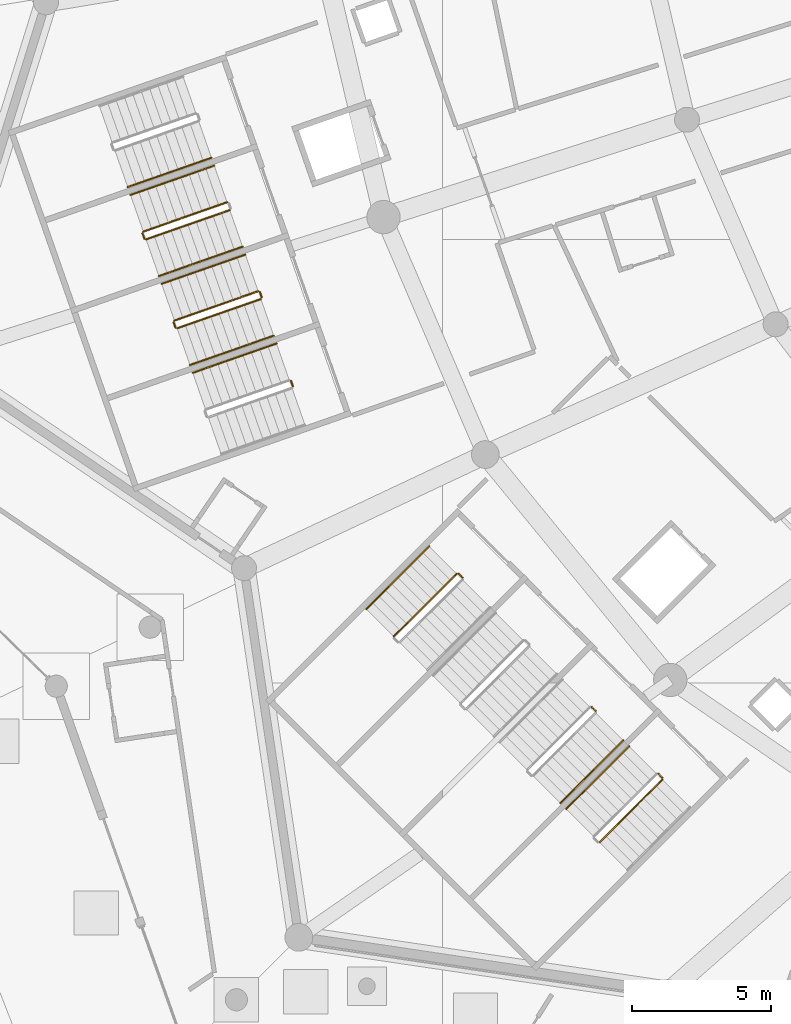
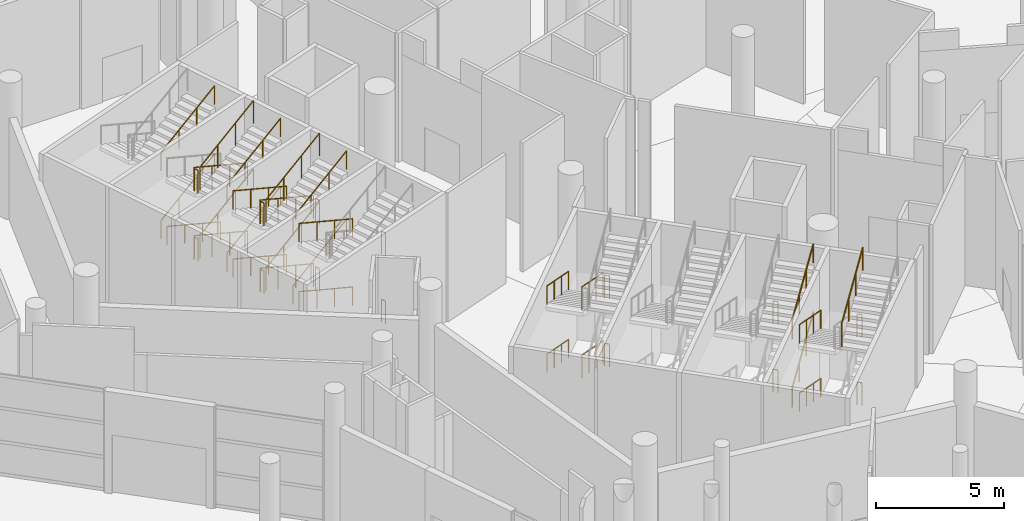
# One storey, part 187 of 255: 42 railings.
"""IFC4 building model written with IfcOpenShell, lengths in metres."""

from ifc_helpers import new_model, si_unit, direction, frame, origin, origin_2d, place, context, subcontext, project, spatial, circle, extrude, material, type_object, element, save


model = new_model("IFC4")

# Units and contexts
model_context = context("Model", 3, precision=1e-05, world=origin(), true_north=direction((0.0, 1.0)))
body_context = subcontext(model_context, "Body", "Model", "MODEL_VIEW")
ifc_project = project(units=[si_unit("LENGTHUNIT", "METRE"), si_unit("AREAUNIT", "SQUARE_METRE"), si_unit("VOLUMEUNIT", "CUBIC_METRE"), si_unit("PLANEANGLEUNIT", "RADIAN"), si_unit("MASSUNIT", "GRAM", prefix="KILO")], contexts=[model_context])

# Site, building, storey
site_placement = place(None, origin())
site = spatial("IfcSite", under=ifc_project, at=site_placement, CompositionType="ELEMENT")
building_placement = place(site_placement, origin())
building = spatial("IfcBuilding", under=site, at=building_placement, Name="Meseta Stadium", CompositionType="ELEMENT")
storey_placement = place(building_placement, origin())
storey = spatial("IfcBuildingStorey", under=building, at=storey_placement, Name="L00", CompositionType="ELEMENT", Elevation=0.0)

# Railings
ifc_material_1 = material(Name="Steel S355", Category="steel")
railing_type_1 = type_object("IfcRailingType", Name="Stair guard 1100", PredefinedType="GUARDRAIL", material=ifc_material_1)
railing_1_placement = place(storey_placement, frame((-87.764404296875, -62.654052734375, 0.147705078125)))
element("IfcRailing", 1, at=railing_1_placement, inside=storey, type_object=railing_type_1, Name="ST78 L00 guard 1", PredefinedType="GUARDRAIL", context=body_context, shape_type="SweptSolid", body=[
    extrude(circle(Radius=0.02392578125, at=origin_2d()), frame((0.0, 0.0, 1.076171875), z_axis=(-0.856958151566, -0.299876472244, 0.419162054412), x_axis=(0.330292648585, -0.943878576031, 0.0)), (0.0, 0.0, 1.0), 3.5244140625),
    extrude(circle(Radius=0.02099609375, at=origin_2d()), origin(), (0.0, 0.0, 1.0), 1.052001953125),
    extrude(circle(Radius=0.02099609375, at=origin_2d()), frame((-1.0068359375, -0.352294921875, 0.492431640625)), (0.0, 0.0, 1.0), 1.052001953125),
    extrude(circle(Radius=0.02099609375, at=origin_2d()), frame((-2.013427734375, -0.70458984375, 0.98486328125)), (0.0, 0.0, 1.0), 1.052001953125),
    extrude(circle(Radius=0.02099609375, at=origin_2d()), frame((-3.020263671875, -1.056884765625, 1.477294921875)), (0.0, 0.0, 1.0), 1.052001953125),
])
railing_2_placement = place(storey_placement, frame((-90.8154296875, -63.774658203125, 1.625)))
element("IfcRailing", 2, at=railing_2_placement, inside=storey, type_object=railing_type_1, Name="ST78 L00 guard 2", PredefinedType="GUARDRAIL", context=body_context, shape_type="SweptSolid", body=[
    extrude(circle(Radius=0.02392578125, at=origin_2d()), frame((0.0, 0.0, 1.076171875), z_axis=(0.330839792317, -0.943686935281, 0.0), x_axis=(0.943686935281, 0.330839792317, 0.0)), (0.0, 0.0, 1.0), 0.199951171875),
    extrude(circle(Radius=0.02099609375, at=origin_2d()), origin(), (0.0, 0.0, 1.0), 1.052001953125),
    extrude(circle(Radius=0.02099609375, at=origin_2d()), frame((0.066162109375, -0.188720703125, 0.0)), (0.0, 0.0, 1.0), 1.052001953125),
])
railing_3_placement = place(storey_placement, frame((-90.685791015625, -63.994140625, 1.772705078125)))
element("IfcRailing", 3, at=railing_3_placement, inside=storey, type_object=railing_type_1, Name="ST78 L00 guard 3", PredefinedType="GUARDRAIL", context=body_context, shape_type="SweptSolid", body=[
    extrude(circle(Radius=0.02392578125, at=origin_2d()), frame((0.0, 0.0, 1.076171875), z_axis=(0.856976550022, 0.299858671601, 0.419137172986), x_axis=(-0.330268863922, 0.943886898693, 0.0)), (0.0, 0.0, 1.0), 3.524658203125),
    extrude(circle(Radius=0.02099609375, at=origin_2d()), origin(), (0.0, 0.0, 1.0), 1.052001953125),
    extrude(circle(Radius=0.02099609375, at=origin_2d()), frame((1.0068359375, 0.352294921875, 0.492431640625)), (0.0, 0.0, 1.0), 1.052001953125),
    extrude(circle(Radius=0.02099609375, at=origin_2d()), frame((2.013671875, 0.70458984375, 0.98486328125)), (0.0, 0.0, 1.0), 1.052001953125),
    extrude(circle(Radius=0.02099609375, at=origin_2d()), frame((3.0205078125, 1.056884765625, 1.477294921875)), (0.0, 0.0, 1.0), 1.052001953125),
])
railing_4_placement = place(storey_placement, frame((-87.764404296875, -62.654052734375, 3.397705078125)))
element("IfcRailing", 4, at=railing_4_placement, inside=storey, type_object=railing_type_1, Name="ST78 L00 guard 5", PredefinedType="GUARDRAIL", context=body_context, shape_type="SweptSolid", body=[
    extrude(circle(Radius=0.02392578125, at=origin_2d()), frame((0.0, 0.0, 1.076171875), z_axis=(-0.856958151566, -0.299876472244, 0.419162054412), x_axis=(0.330292648585, -0.943878576031, 0.0)), (0.0, 0.0, 1.0), 3.5244140625),
    extrude(circle(Radius=0.02099609375, at=origin_2d()), origin(), (0.0, 0.0, 1.0), 1.052001953125),
    extrude(circle(Radius=0.02099609375, at=origin_2d()), frame((-1.0068359375, -0.352294921875, 0.492431640625)), (0.0, 0.0, 1.0), 1.052001953125),
    extrude(circle(Radius=0.02099609375, at=origin_2d()), frame((-2.013427734375, -0.70458984375, 0.98486328125)), (0.0, 0.0, 1.0), 1.052001953125),
    extrude(circle(Radius=0.02099609375, at=origin_2d()), frame((-3.020263671875, -1.056884765625, 1.477294921875)), (0.0, 0.0, 1.0), 1.052001953125),
])
railing_5_placement = place(storey_placement, frame((-90.8154296875, -63.774658203125, 4.875)))
element("IfcRailing", 5, at=railing_5_placement, inside=storey, type_object=railing_type_1, Name="ST78 L00 guard 6", PredefinedType="GUARDRAIL", context=body_context, shape_type="SweptSolid", body=[
    extrude(circle(Radius=0.02392578125, at=origin_2d()), frame((0.0, 0.0, 1.076171875), z_axis=(0.330839792317, -0.943686935281, 0.0), x_axis=(0.943686935281, 0.330839792317, 0.0)), (0.0, 0.0, 1.0), 0.199951171875),
    extrude(circle(Radius=0.02099609375, at=origin_2d()), origin(), (0.0, 0.0, 1.0), 1.052001953125),
    extrude(circle(Radius=0.02099609375, at=origin_2d()), frame((0.066162109375, -0.188720703125, 0.0)), (0.0, 0.0, 1.0), 1.052001953125),
])
railing_6_placement = place(storey_placement, frame((-90.685791015625, -63.994140625, 5.022705078125)))
element("IfcRailing", 6, at=railing_6_placement, inside=storey, type_object=railing_type_1, Name="ST78 L00 guard 7", PredefinedType="GUARDRAIL", context=body_context, shape_type="SweptSolid", body=[
    extrude(circle(Radius=0.02392578125, at=origin_2d()), frame((0.0, 0.0, 1.076171875), z_axis=(0.856976550022, 0.299858671601, 0.419137172986), x_axis=(-0.330268863922, 0.943886898693, 0.0)), (0.0, 0.0, 1.0), 3.524658203125),
    extrude(circle(Radius=0.02099609375, at=origin_2d()), origin(), (0.0, 0.0, 1.0), 1.052001953125),
    extrude(circle(Radius=0.02099609375, at=origin_2d()), frame((1.0068359375, 0.352294921875, 0.492431640625)), (0.0, 0.0, 1.0), 1.052001953125),
    extrude(circle(Radius=0.02099609375, at=origin_2d()), frame((2.013671875, 0.70458984375, 0.98486328125)), (0.0, 0.0, 1.0), 1.052001953125),
    extrude(circle(Radius=0.02099609375, at=origin_2d()), frame((3.0205078125, 1.056884765625, 1.477294921875)), (0.0, 0.0, 1.0), 1.052001953125),
])
railing_7_placement = place(storey_placement, frame((-86.641357421875, -65.86328125, 0.147705078125)))
element("IfcRailing", 7, at=railing_7_placement, inside=storey, type_object=railing_type_1, Name="ST79 L00 guard 1", PredefinedType="GUARDRAIL", context=body_context, shape_type="SweptSolid", body=[
    extrude(circle(Radius=0.02392578125, at=origin_2d()), frame((0.0, 0.0, 1.076171875), z_axis=(-0.856976550022, -0.299858671601, 0.419137172986), x_axis=(0.330268863922, -0.943886898693, 0.0)), (0.0, 0.0, 1.0), 3.524658203125),
    extrude(circle(Radius=0.02099609375, at=origin_2d()), origin(), (0.0, 0.0, 1.0), 1.052001953125),
    extrude(circle(Radius=0.02099609375, at=origin_2d()), frame((-1.0068359375, -0.352294921875, 0.492431640625)), (0.0, 0.0, 1.0), 1.052001953125),
    extrude(circle(Radius=0.02099609375, at=origin_2d()), frame((-2.013671875, -0.70458984375, 0.98486328125)), (0.0, 0.0, 1.0), 1.052001953125),
    extrude(circle(Radius=0.02099609375, at=origin_2d()), frame((-3.0205078125, -1.056884765625, 1.477294921875)), (0.0, 0.0, 1.0), 1.052001953125),
])
railing_8_placement = place(storey_placement, frame((-89.6923828125, -66.98388671875, 1.625)))
element("IfcRailing", 8, at=railing_8_placement, inside=storey, type_object=railing_type_1, Name="ST79 L00 guard 2", PredefinedType="GUARDRAIL", context=body_context, shape_type="SweptSolid", body=[
    extrude(circle(Radius=0.02392578125, at=origin_2d()), frame((0.0, 0.0, 1.076171875), z_axis=(0.329751946816, -0.944067610699, 0.0), x_axis=(0.944067610699, 0.329751946816, 0.0)), (0.0, 0.0, 1.0), 0.199951171875),
    extrude(circle(Radius=0.02099609375, at=origin_2d()), origin(), (0.0, 0.0, 1.0), 1.052001953125),
    extrude(circle(Radius=0.02099609375, at=origin_2d()), frame((0.06591796875, -0.188720703125, 0.0)), (0.0, 0.0, 1.0), 1.052001953125),
])
railing_9_placement = place(storey_placement, frame((-89.562744140625, -67.203125, 1.772705078125)))
element("IfcRailing", 9, at=railing_9_placement, inside=storey, type_object=railing_type_1, Name="ST79 L00 guard 3", PredefinedType="GUARDRAIL", context=body_context, shape_type="SweptSolid", body=[
    extrude(circle(Radius=0.02392578125, at=origin_2d()), frame((0.0, 0.0, 1.076171875), z_axis=(0.856976550022, 0.299858671601, 0.419137172986), x_axis=(-0.330268863922, 0.943886898693, 0.0)), (0.0, 0.0, 1.0), 3.524658203125),
    extrude(circle(Radius=0.02099609375, at=origin_2d()), origin(), (0.0, 0.0, 1.0), 1.052001953125),
    extrude(circle(Radius=0.02099609375, at=origin_2d()), frame((1.0068359375, 0.352294921875, 0.492431640625)), (0.0, 0.0, 1.0), 1.052001953125),
    extrude(circle(Radius=0.02099609375, at=origin_2d()), frame((2.013671875, 0.70458984375, 0.98486328125)), (0.0, 0.0, 1.0), 1.052001953125),
    extrude(circle(Radius=0.02099609375, at=origin_2d()), frame((3.0205078125, 1.056884765625, 1.477294921875)), (0.0, 0.0, 1.0), 1.052001953125),
])
railing_10_placement = place(storey_placement, frame((-86.57763671875, -65.893798828125, 3.25)))
element("IfcRailing", 10, at=railing_10_placement, inside=storey, type_object=railing_type_1, Name="ST79 L00 guard 4", PredefinedType="GUARDRAIL", context=body_context, shape_type="SweptSolid", body=[
    extrude(circle(Radius=0.02392578125, at=origin_2d()), frame((0.0, 0.0, 1.076171875), z_axis=(0.329372156318, -0.944200181446, 0.0), x_axis=(0.944200181446, 0.329372156318, 0.0)), (0.0, 0.0, 1.0), 0.2001953125),
    extrude(circle(Radius=0.02099609375, at=origin_2d()), origin(), (0.0, 0.0, 1.0), 1.052001953125),
    extrude(circle(Radius=0.02099609375, at=origin_2d()), frame((0.06591796875, -0.18896484375, 0.0)), (0.0, 0.0, 1.0), 1.052001953125),
])
railing_11_placement = place(storey_placement, frame((-86.641357421875, -65.86328125, 3.397705078125)))
element("IfcRailing", 11, at=railing_11_placement, inside=storey, type_object=railing_type_1, Name="ST79 L00 guard 5", PredefinedType="GUARDRAIL", context=body_context, shape_type="SweptSolid", body=[
    extrude(circle(Radius=0.02392578125, at=origin_2d()), frame((0.0, 0.0, 1.076171875), z_axis=(-0.856976550022, -0.299858671601, 0.419137172986), x_axis=(0.330268863922, -0.943886898693, 0.0)), (0.0, 0.0, 1.0), 3.524658203125),
    extrude(circle(Radius=0.02099609375, at=origin_2d()), origin(), (0.0, 0.0, 1.0), 1.052001953125),
    extrude(circle(Radius=0.02099609375, at=origin_2d()), frame((-1.0068359375, -0.352294921875, 0.492431640625)), (0.0, 0.0, 1.0), 1.052001953125),
    extrude(circle(Radius=0.02099609375, at=origin_2d()), frame((-2.013671875, -0.70458984375, 0.98486328125)), (0.0, 0.0, 1.0), 1.052001953125),
    extrude(circle(Radius=0.02099609375, at=origin_2d()), frame((-3.0205078125, -1.056884765625, 1.477294921875)), (0.0, 0.0, 1.0), 1.052001953125),
])
railing_12_placement = place(storey_placement, frame((-89.6923828125, -66.98388671875, 4.875)))
element("IfcRailing", 12, at=railing_12_placement, inside=storey, type_object=railing_type_1, Name="ST79 L00 guard 6", PredefinedType="GUARDRAIL", context=body_context, shape_type="SweptSolid", body=[
    extrude(circle(Radius=0.02392578125, at=origin_2d()), frame((0.0, 0.0, 1.076171875), z_axis=(0.329751946816, -0.944067610699, 0.0), x_axis=(0.944067610699, 0.329751946816, 0.0)), (0.0, 0.0, 1.0), 0.199951171875),
    extrude(circle(Radius=0.02099609375, at=origin_2d()), origin(), (0.0, 0.0, 1.0), 1.052001953125),
    extrude(circle(Radius=0.02099609375, at=origin_2d()), frame((0.06591796875, -0.188720703125, 0.0)), (0.0, 0.0, 1.0), 1.052001953125),
])
railing_13_placement = place(storey_placement, frame((-89.562744140625, -67.203125, 5.022705078125)))
element("IfcRailing", 13, at=railing_13_placement, inside=storey, type_object=railing_type_1, Name="ST79 L00 guard 7", PredefinedType="GUARDRAIL", context=body_context, shape_type="SweptSolid", body=[
    extrude(circle(Radius=0.02392578125, at=origin_2d()), frame((0.0, 0.0, 1.076171875), z_axis=(0.856976550022, 0.299858671601, 0.419137172986), x_axis=(-0.330268863922, 0.943886898693, 0.0)), (0.0, 0.0, 1.0), 3.524658203125),
    extrude(circle(Radius=0.02099609375, at=origin_2d()), origin(), (0.0, 0.0, 1.0), 1.052001953125),
    extrude(circle(Radius=0.02099609375, at=origin_2d()), frame((1.0068359375, 0.352294921875, 0.492431640625)), (0.0, 0.0, 1.0), 1.052001953125),
    extrude(circle(Radius=0.02099609375, at=origin_2d()), frame((2.013671875, 0.70458984375, 0.98486328125)), (0.0, 0.0, 1.0), 1.052001953125),
    extrude(circle(Radius=0.02099609375, at=origin_2d()), frame((3.0205078125, 1.056884765625, 1.477294921875)), (0.0, 0.0, 1.0), 1.052001953125),
])
railing_14_placement = place(storey_placement, frame((-86.57763671875, -65.893798828125, 0.0)))
element("IfcRailing", 14, at=railing_14_placement, inside=storey, type_object=railing_type_1, Name="ST79 L00 guard 8", PredefinedType="GUARDRAIL", context=body_context, shape_type="SweptSolid", body=[
    extrude(circle(Radius=0.02392578125, at=origin_2d()), frame((0.0, 0.0, 1.076171875), z_axis=(0.329372156318, -0.944200181446, 0.0), x_axis=(0.944200181446, 0.329372156318, 0.0)), (0.0, 0.0, 1.0), 0.2001953125),
    extrude(circle(Radius=0.02099609375, at=origin_2d()), origin(), (0.0, 0.0, 1.0), 1.052001953125),
    extrude(circle(Radius=0.02099609375, at=origin_2d()), frame((0.06591796875, -0.18896484375, 0.0)), (0.0, 0.0, 1.0), 1.052001953125),
])
for number, where, name in (
    (15, (-85.454833984375, -69.10302734375, 3.25), "ST80 L00 guard 4"),
    (16, (-85.454833984375, -69.10302734375, 0.0), "ST80 L00 guard 8"),
):
    element("IfcRailing", number, at=place(storey_placement, frame(where)), inside=storey, type_object=railing_type_1, Name=name, PredefinedType="GUARDRAIL", context=body_context, shape_type="SweptSolid", body=[
        extrude(circle(Radius=0.02392578125, at=origin_2d()), frame((0.0, 0.0, 1.076171875), z_axis=(0.330839792317, -0.943686935281, 0.0), x_axis=(0.943686935281, 0.330839792317, 0.0)), (0.0, 0.0, 1.0), 0.199951171875),
        extrude(circle(Radius=0.02099609375, at=origin_2d()), origin(), (0.0, 0.0, 1.0), 1.052001953125),
        extrude(circle(Radius=0.02099609375, at=origin_2d()), frame((0.066162109375, -0.188720703125, 0.0)), (0.0, 0.0, 1.0), 1.052001953125),
    ])
railing_15_placement = place(storey_placement, frame((-79.4814453125, -76.056884765625, 0.147705078125)))
element("IfcRailing", 17, at=railing_15_placement, inside=storey, type_object=railing_type_1, Name="ST81 L00 guard 1", PredefinedType="GUARDRAIL", context=body_context, shape_type="SweptSolid", body=[
    extrude(circle(Radius=0.02392578125, at=origin_2d()), frame((0.0, 0.0, 1.076171875), z_axis=(-0.641993537882, -0.641993537882, 0.419152233246), x_axis=(0.707106781187, -0.707106781187, 0.0)), (0.0, 0.0, 1.0), 3.5244140625),
    extrude(circle(Radius=0.02099609375, at=origin_2d()), origin(), (0.0, 0.0, 1.0), 1.052001953125),
    extrude(circle(Radius=0.02099609375, at=origin_2d()), frame((-0.754150390625, -0.754150390625, 0.492431640625)), (0.0, 0.0, 1.0), 1.052001953125),
    extrude(circle(Radius=0.02099609375, at=origin_2d()), frame((-1.508544921875, -1.508544921875, 0.98486328125)), (0.0, 0.0, 1.0), 1.052001953125),
    extrude(circle(Radius=0.02099609375, at=origin_2d()), frame((-2.2626953125, -2.2626953125, 1.477294921875)), (0.0, 0.0, 1.0), 1.052001953125),
])
railing_16_placement = place(storey_placement, frame((-79.410888671875, -76.056884765625, 3.25)))
element("IfcRailing", 18, at=railing_16_placement, inside=storey, type_object=railing_type_1, Name="ST81 L00 guard 4", PredefinedType="GUARDRAIL", context=body_context, shape_type="SweptSolid", body=[
    extrude(circle(Radius=0.02392578125, at=origin_2d()), frame((0.0, 0.0, 1.076171875), z_axis=(0.707716618519, -0.706496417452, 0.0), x_axis=(0.706496417452, 0.707716618519, 0.0)), (0.0, 0.0, 1.0), 0.2001953125),
    extrude(circle(Radius=0.02099609375, at=origin_2d()), origin(), (0.0, 0.0, 1.0), 1.052001953125),
    extrude(circle(Radius=0.02099609375, at=origin_2d()), frame((0.1416015625, -0.141357421875, 0.0)), (0.0, 0.0, 1.0), 1.052001953125),
])
railing_17_placement = place(storey_placement, frame((-79.4814453125, -76.056884765625, 3.397705078125)))
element("IfcRailing", 19, at=railing_17_placement, inside=storey, type_object=railing_type_1, Name="ST81 L00 guard 5", PredefinedType="GUARDRAIL", context=body_context, shape_type="SweptSolid", body=[
    extrude(circle(Radius=0.02392578125, at=origin_2d()), frame((0.0, 0.0, 1.076171875), z_axis=(-0.641993537882, -0.641993537882, 0.419152233246), x_axis=(0.707106781187, -0.707106781187, 0.0)), (0.0, 0.0, 1.0), 3.5244140625),
    extrude(circle(Radius=0.02099609375, at=origin_2d()), origin(), (0.0, 0.0, 1.0), 1.052001953125),
    extrude(circle(Radius=0.02099609375, at=origin_2d()), frame((-0.754150390625, -0.754150390625, 0.492431640625)), (0.0, 0.0, 1.0), 1.052001953125),
    extrude(circle(Radius=0.02099609375, at=origin_2d()), frame((-1.508544921875, -1.508544921875, 0.98486328125)), (0.0, 0.0, 1.0), 1.052001953125),
    extrude(circle(Radius=0.02099609375, at=origin_2d()), frame((-2.2626953125, -2.2626953125, 1.477294921875)), (0.0, 0.0, 1.0), 1.052001953125),
])
for number, where, name in (
    (20, (-79.410888671875, -76.056884765625, 0.0), "ST81 L00 guard 8"),
    (21, (-74.6025390625, -80.865234375, 3.25), "ST83 L00 guard 4"),
    (22, (-74.6025390625, -80.865234375, 0.0), "ST83 L00 guard 8"),
):
    element("IfcRailing", number, at=place(storey_placement, frame(where)), inside=storey, type_object=railing_type_1, Name=name, PredefinedType="GUARDRAIL", context=body_context, shape_type="SweptSolid", body=[
        extrude(circle(Radius=0.02392578125, at=origin_2d()), frame((0.0, 0.0, 1.076171875), z_axis=(0.707716618519, -0.706496417452, 0.0), x_axis=(0.706496417452, 0.707716618519, 0.0)), (0.0, 0.0, 1.0), 0.2001953125),
        extrude(circle(Radius=0.02099609375, at=origin_2d()), origin(), (0.0, 0.0, 1.0), 1.052001953125),
        extrude(circle(Radius=0.02099609375, at=origin_2d()), frame((0.1416015625, -0.141357421875, 0.0)), (0.0, 0.0, 1.0), 1.052001953125),
    ])
railing_18_placement = place(storey_placement, frame((-72.1982421875, -83.269287109375, 3.25)))
element("IfcRailing", 23, at=railing_18_placement, inside=storey, type_object=railing_type_1, Name="ST84 L00 guard 4", PredefinedType="GUARDRAIL", context=body_context, shape_type="SweptSolid", body=[
    extrude(circle(Radius=0.02392578125, at=origin_2d()), frame((0.0, 0.0, 1.076171875), z_axis=(0.706496417452, -0.707716618519, 0.0), x_axis=(0.707716618519, 0.706496417452, 0.0)), (0.0, 0.0, 1.0), 0.2001953125),
    extrude(circle(Radius=0.02099609375, at=origin_2d()), origin(), (0.0, 0.0, 1.0), 1.052001953125),
    extrude(circle(Radius=0.02099609375, at=origin_2d()), frame((0.141357421875, -0.1416015625, 0.0)), (0.0, 0.0, 1.0), 1.052001953125),
])
railing_19_placement = place(storey_placement, frame((-74.319580078125, -85.744140625, 5.022705078125)))
element("IfcRailing", 24, at=railing_19_placement, inside=storey, type_object=railing_type_1, Name="ST84 L00 guard 7", PredefinedType="GUARDRAIL", context=body_context, shape_type="SweptSolid", body=[
    extrude(circle(Radius=0.02392578125, at=origin_2d()), frame((0.0, 0.0, 1.076171875), z_axis=(0.641993537882, 0.641993537882, 0.419152233246), x_axis=(-0.707106781187, 0.707106781187, 0.0)), (0.0, 0.0, 1.0), 3.5244140625),
    extrude(circle(Radius=0.02099609375, at=origin_2d()), origin(), (0.0, 0.0, 1.0), 1.052001953125),
    extrude(circle(Radius=0.02099609375, at=origin_2d()), frame((0.754150390625, 0.754150390625, 0.492431640625)), (0.0, 0.0, 1.0), 1.052001953125),
    extrude(circle(Radius=0.02099609375, at=origin_2d()), frame((1.508544921875, 1.508544921875, 0.98486328125)), (0.0, 0.0, 1.0), 1.052001953125),
    extrude(circle(Radius=0.02099609375, at=origin_2d()), frame((2.2626953125, 2.2626953125, 1.477294921875)), (0.0, 0.0, 1.0), 1.052001953125),
])
railing_20_placement = place(storey_placement, frame((-72.1982421875, -83.269287109375, 0.0)))
element("IfcRailing", 25, at=railing_20_placement, inside=storey, type_object=railing_type_1, Name="ST84 L00 guard 8", PredefinedType="GUARDRAIL", context=body_context, shape_type="SweptSolid", body=[
    extrude(circle(Radius=0.02392578125, at=origin_2d()), frame((0.0, 0.0, 1.076171875), z_axis=(0.706496417452, -0.707716618519, 0.0), x_axis=(0.707716618519, 0.706496417452, 0.0)), (0.0, 0.0, 1.0), 0.2001953125),
    extrude(circle(Radius=0.02099609375, at=origin_2d()), origin(), (0.0, 0.0, 1.0), 1.052001953125),
    extrude(circle(Radius=0.02099609375, at=origin_2d()), frame((0.141357421875, -0.1416015625, 0.0)), (0.0, 0.0, 1.0), 1.052001953125),
])
ifc_material_2 = material(Name="Steel S355", Category="steel")
railing_type_2 = type_object("IfcRailingType", Name="Stair handrail 900", PredefinedType="HANDRAIL", material=ifc_material_2)
for number, where, name in (
    (26, (-91.34619140625, -62.106201171875, 1.772705078125), "ST77 L00 handrail 2"),
    (27, (-91.34619140625, -62.106201171875, 5.022705078125), "ST77 L00 handrail 4"),
):
    element("IfcRailing", number, at=place(storey_placement, frame(where)), inside=storey, type_object=railing_type_2, Name=name, PredefinedType="HANDRAIL", context=body_context, shape_type="SweptSolid", body=[
        extrude(circle(Radius=0.02392578125, at=origin_2d()), frame((0.0, 0.0, 0.8759765625), z_axis=(0.856976550022, 0.299858671601, 0.419137172986), x_axis=(-0.330268863922, 0.943886898693, 0.0)), (0.0, 0.0, 1.0), 3.524658203125),
        extrude(circle(Radius=0.02099609375, at=origin_2d()), origin(), (0.0, 0.0, 1.0), 0.851806640625),
        extrude(circle(Radius=0.02099609375, at=origin_2d()), frame((1.0068359375, 0.352294921875, 0.492431640625)), (0.0, 0.0, 1.0), 0.851806640625),
        extrude(circle(Radius=0.02099609375, at=origin_2d()), frame((2.013671875, 0.70458984375, 0.98486328125)), (0.0, 0.0, 1.0), 0.851806640625),
        extrude(circle(Radius=0.02099609375, at=origin_2d()), frame((3.0205078125, 1.056884765625, 1.477294921875)), (0.0, 0.0, 1.0), 0.851806640625),
    ])
railing_21_placement = place(storey_placement, frame((-88.226806640625, -61.33251953125, 0.147705078125)))
element("IfcRailing", 28, at=railing_21_placement, inside=storey, type_object=railing_type_2, Name="ST78 L00 handrail 1", PredefinedType="HANDRAIL", context=body_context, shape_type="SweptSolid", body=[
    extrude(circle(Radius=0.02392578125, at=origin_2d()), frame((0.0, 0.0, 0.8759765625), z_axis=(-0.856958151566, -0.299876472244, 0.419162054412), x_axis=(0.330292648585, -0.943878576031, 0.0)), (0.0, 0.0, 1.0), 3.5244140625),
    extrude(circle(Radius=0.02099609375, at=origin_2d()), origin(), (0.0, 0.0, 1.0), 0.851806640625),
    extrude(circle(Radius=0.02099609375, at=origin_2d()), frame((-1.0068359375, -0.352294921875, 0.492431640625)), (0.0, 0.0, 1.0), 0.851806640625),
    extrude(circle(Radius=0.02099609375, at=origin_2d()), frame((-2.013427734375, -0.70458984375, 0.98486328125)), (0.0, 0.0, 1.0), 0.851806640625),
    extrude(circle(Radius=0.02099609375, at=origin_2d()), frame((-3.020263671875, -1.056884765625, 1.477294921875)), (0.0, 0.0, 1.0), 0.851806640625),
])
for number, where, name in (
    (29, (-90.223388671875, -65.3154296875, 1.772705078125), "ST78 L00 handrail 2"),
    (30, (-90.223388671875, -65.3154296875, 5.022705078125), "ST78 L00 handrail 4"),
):
    element("IfcRailing", number, at=place(storey_placement, frame(where)), inside=storey, type_object=railing_type_2, Name=name, PredefinedType="HANDRAIL", context=body_context, shape_type="SweptSolid", body=[
        extrude(circle(Radius=0.02392578125, at=origin_2d()), frame((0.0, 0.0, 0.8759765625), z_axis=(0.856976550022, 0.299858671601, 0.419137172986), x_axis=(-0.330268863922, 0.943886898693, 0.0)), (0.0, 0.0, 1.0), 3.524658203125),
        extrude(circle(Radius=0.02099609375, at=origin_2d()), origin(), (0.0, 0.0, 1.0), 0.851806640625),
        extrude(circle(Radius=0.02099609375, at=origin_2d()), frame((1.0068359375, 0.352294921875, 0.492431640625)), (0.0, 0.0, 1.0), 0.851806640625),
        extrude(circle(Radius=0.02099609375, at=origin_2d()), frame((2.013671875, 0.70458984375, 0.98486328125)), (0.0, 0.0, 1.0), 0.851806640625),
        extrude(circle(Radius=0.02099609375, at=origin_2d()), frame((3.0205078125, 1.056884765625, 1.477294921875)), (0.0, 0.0, 1.0), 0.851806640625),
    ])
railing_22_placement = place(storey_placement, frame((-87.103759765625, -64.541748046875, 0.147705078125)))
element("IfcRailing", 31, at=railing_22_placement, inside=storey, type_object=railing_type_2, Name="ST79 L00 handrail 1", PredefinedType="HANDRAIL", context=body_context, shape_type="SweptSolid", body=[
    extrude(circle(Radius=0.02392578125, at=origin_2d()), frame((0.0, 0.0, 0.8759765625), z_axis=(-0.856976550022, -0.299858671601, 0.419137172986), x_axis=(0.330268863922, -0.943886898693, 0.0)), (0.0, 0.0, 1.0), 3.524658203125),
    extrude(circle(Radius=0.02099609375, at=origin_2d()), origin(), (0.0, 0.0, 1.0), 0.851806640625),
    extrude(circle(Radius=0.02099609375, at=origin_2d()), frame((-1.0068359375, -0.352294921875, 0.492431640625)), (0.0, 0.0, 1.0), 0.851806640625),
    extrude(circle(Radius=0.02099609375, at=origin_2d()), frame((-2.013671875, -0.70458984375, 0.98486328125)), (0.0, 0.0, 1.0), 0.851806640625),
    extrude(circle(Radius=0.02099609375, at=origin_2d()), frame((-3.0205078125, -1.056884765625, 1.477294921875)), (0.0, 0.0, 1.0), 0.851806640625),
])
railing_23_placement = place(storey_placement, frame((-89.100341796875, -68.524658203125, 1.772705078125)))
element("IfcRailing", 32, at=railing_23_placement, inside=storey, type_object=railing_type_2, Name="ST79 L00 handrail 2", PredefinedType="HANDRAIL", context=body_context, shape_type="SweptSolid", body=[
    extrude(circle(Radius=0.02392578125, at=origin_2d()), frame((0.0, 0.0, 0.8759765625), z_axis=(0.856976550022, 0.299858671601, 0.419137172986), x_axis=(-0.330268863922, 0.943886898693, 0.0)), (0.0, 0.0, 1.0), 3.524658203125),
    extrude(circle(Radius=0.02099609375, at=origin_2d()), origin(), (0.0, 0.0, 1.0), 0.851806640625),
    extrude(circle(Radius=0.02099609375, at=origin_2d()), frame((1.0068359375, 0.352294921875, 0.492431640625)), (0.0, 0.0, 1.0), 0.851806640625),
    extrude(circle(Radius=0.02099609375, at=origin_2d()), frame((2.013671875, 0.70458984375, 0.98486328125)), (0.0, 0.0, 1.0), 0.851806640625),
    extrude(circle(Radius=0.02099609375, at=origin_2d()), frame((3.0205078125, 1.056884765625, 1.477294921875)), (0.0, 0.0, 1.0), 0.851806640625),
])
railing_24_placement = place(storey_placement, frame((-87.103759765625, -64.541748046875, 3.397705078125)))
element("IfcRailing", 33, at=railing_24_placement, inside=storey, type_object=railing_type_2, Name="ST79 L00 handrail 3", PredefinedType="HANDRAIL", context=body_context, shape_type="SweptSolid", body=[
    extrude(circle(Radius=0.02392578125, at=origin_2d()), frame((0.0, 0.0, 0.8759765625), z_axis=(-0.856976550022, -0.299858671601, 0.419137172986), x_axis=(0.330268863922, -0.943886898693, 0.0)), (0.0, 0.0, 1.0), 3.524658203125),
    extrude(circle(Radius=0.02099609375, at=origin_2d()), origin(), (0.0, 0.0, 1.0), 0.851806640625),
    extrude(circle(Radius=0.02099609375, at=origin_2d()), frame((-1.0068359375, -0.352294921875, 0.492431640625)), (0.0, 0.0, 1.0), 0.851806640625),
    extrude(circle(Radius=0.02099609375, at=origin_2d()), frame((-2.013671875, -0.70458984375, 0.98486328125)), (0.0, 0.0, 1.0), 0.851806640625),
    extrude(circle(Radius=0.02099609375, at=origin_2d()), frame((-3.0205078125, -1.056884765625, 1.477294921875)), (0.0, 0.0, 1.0), 0.851806640625),
])
railing_25_placement = place(storey_placement, frame((-89.100341796875, -68.524658203125, 5.022705078125)))
element("IfcRailing", 34, at=railing_25_placement, inside=storey, type_object=railing_type_2, Name="ST79 L00 handrail 4", PredefinedType="HANDRAIL", context=body_context, shape_type="SweptSolid", body=[
    extrude(circle(Radius=0.02392578125, at=origin_2d()), frame((0.0, 0.0, 0.8759765625), z_axis=(0.856976550022, 0.299858671601, 0.419137172986), x_axis=(-0.330268863922, 0.943886898693, 0.0)), (0.0, 0.0, 1.0), 3.524658203125),
    extrude(circle(Radius=0.02099609375, at=origin_2d()), origin(), (0.0, 0.0, 1.0), 0.851806640625),
    extrude(circle(Radius=0.02099609375, at=origin_2d()), frame((1.0068359375, 0.352294921875, 0.492431640625)), (0.0, 0.0, 1.0), 0.851806640625),
    extrude(circle(Radius=0.02099609375, at=origin_2d()), frame((2.013671875, 0.70458984375, 0.98486328125)), (0.0, 0.0, 1.0), 0.851806640625),
    extrude(circle(Radius=0.02099609375, at=origin_2d()), frame((3.0205078125, 1.056884765625, 1.477294921875)), (0.0, 0.0, 1.0), 0.851806640625),
])
for number, where, name in (
    (35, (-85.980712890625, -67.7509765625, 0.147705078125), "ST80 L00 handrail 1"),
    (36, (-85.980712890625, -67.7509765625, 3.397705078125), "ST80 L00 handrail 3"),
):
    element("IfcRailing", number, at=place(storey_placement, frame(where)), inside=storey, type_object=railing_type_2, Name=name, PredefinedType="HANDRAIL", context=body_context, shape_type="SweptSolid", body=[
        extrude(circle(Radius=0.02392578125, at=origin_2d()), frame((0.0, 0.0, 0.8759765625), z_axis=(-0.856976550022, -0.299858671601, 0.419137172986), x_axis=(0.330268863922, -0.943886898693, 0.0)), (0.0, 0.0, 1.0), 3.524658203125),
        extrude(circle(Radius=0.02099609375, at=origin_2d()), origin(), (0.0, 0.0, 1.0), 0.851806640625),
        extrude(circle(Radius=0.02099609375, at=origin_2d()), frame((-1.0068359375, -0.352294921875, 0.492431640625)), (0.0, 0.0, 1.0), 0.851806640625),
        extrude(circle(Radius=0.02099609375, at=origin_2d()), frame((-2.013671875, -0.70458984375, 0.98486328125)), (0.0, 0.0, 1.0), 0.851806640625),
        extrude(circle(Radius=0.02099609375, at=origin_2d()), frame((-3.0205078125, -1.056884765625, 1.477294921875)), (0.0, 0.0, 1.0), 0.851806640625),
    ])
for number, where, name in (
    (37, (-80.471435546875, -75.06689453125, 0.147705078125), "ST81 L00 handrail 1"),
    (38, (-80.471435546875, -75.06689453125, 3.397705078125), "ST81 L00 handrail 3"),
):
    element("IfcRailing", number, at=place(storey_placement, frame(where)), inside=storey, type_object=railing_type_2, Name=name, PredefinedType="HANDRAIL", context=body_context, shape_type="SweptSolid", body=[
        extrude(circle(Radius=0.02392578125, at=origin_2d()), frame((0.0, 0.0, 0.8759765625), z_axis=(-0.641993537882, -0.641993537882, 0.419152233246), x_axis=(0.707106781187, -0.707106781187, 0.0)), (0.0, 0.0, 1.0), 3.5244140625),
        extrude(circle(Radius=0.02099609375, at=origin_2d()), origin(), (0.0, 0.0, 1.0), 0.851806640625),
        extrude(circle(Radius=0.02099609375, at=origin_2d()), frame((-0.754150390625, -0.754150390625, 0.492431640625)), (0.0, 0.0, 1.0), 0.851806640625),
        extrude(circle(Radius=0.02099609375, at=origin_2d()), frame((-1.508544921875, -1.508544921875, 0.98486328125)), (0.0, 0.0, 1.0), 0.851806640625),
        extrude(circle(Radius=0.02099609375, at=origin_2d()), frame((-2.2626953125, -2.2626953125, 1.477294921875)), (0.0, 0.0, 1.0), 0.851806640625),
    ])
for number, where, name in (
    (39, (-75.73388671875, -84.330078125, 1.772705078125), "ST83 L00 handrail 2"),
    (40, (-75.73388671875, -84.330078125, 5.022705078125), "ST83 L00 handrail 4"),
):
    element("IfcRailing", number, at=place(storey_placement, frame(where)), inside=storey, type_object=railing_type_2, Name=name, PredefinedType="HANDRAIL", context=body_context, shape_type="SweptSolid", body=[
        extrude(circle(Radius=0.02392578125, at=origin_2d()), frame((0.0, 0.0, 0.8759765625), z_axis=(0.641993537882, 0.641993537882, 0.419152233246), x_axis=(-0.707106781187, 0.707106781187, 0.0)), (0.0, 0.0, 1.0), 3.5244140625),
        extrude(circle(Radius=0.02099609375, at=origin_2d()), origin(), (0.0, 0.0, 1.0), 0.851806640625),
        extrude(circle(Radius=0.02099609375, at=origin_2d()), frame((0.754150390625, 0.754150390625, 0.492431640625)), (0.0, 0.0, 1.0), 0.851806640625),
        extrude(circle(Radius=0.02099609375, at=origin_2d()), frame((1.508544921875, 1.508544921875, 0.98486328125)), (0.0, 0.0, 1.0), 0.851806640625),
        extrude(circle(Radius=0.02099609375, at=origin_2d()), frame((2.2626953125, 2.2626953125, 1.477294921875)), (0.0, 0.0, 1.0), 0.851806640625),
    ])
for number, where, name in (
    (41, (-73.259033203125, -82.279541015625, 0.147705078125), "ST84 L00 handrail 1"),
    (42, (-73.259033203125, -82.279541015625, 3.397705078125), "ST84 L00 handrail 3"),
):
    element("IfcRailing", number, at=place(storey_placement, frame(where)), inside=storey, type_object=railing_type_2, Name=name, PredefinedType="HANDRAIL", context=body_context, shape_type="SweptSolid", body=[
        extrude(circle(Radius=0.02392578125, at=origin_2d()), frame((0.0, 0.0, 0.8759765625), z_axis=(-0.641993537882, -0.641993537882, 0.419152233246), x_axis=(0.707106781187, -0.707106781187, 0.0)), (0.0, 0.0, 1.0), 3.5244140625),
        extrude(circle(Radius=0.02099609375, at=origin_2d()), origin(), (0.0, 0.0, 1.0), 0.851806640625),
        extrude(circle(Radius=0.02099609375, at=origin_2d()), frame((-0.754150390625, -0.754150390625, 0.492431640625)), (0.0, 0.0, 1.0), 0.851806640625),
        extrude(circle(Radius=0.02099609375, at=origin_2d()), frame((-1.508544921875, -1.508544921875, 0.98486328125)), (0.0, 0.0, 1.0), 0.851806640625),
        extrude(circle(Radius=0.02099609375, at=origin_2d()), frame((-2.2626953125, -2.2626953125, 1.477294921875)), (0.0, 0.0, 1.0), 0.851806640625),
    ])

save(model, "model.ifc")
